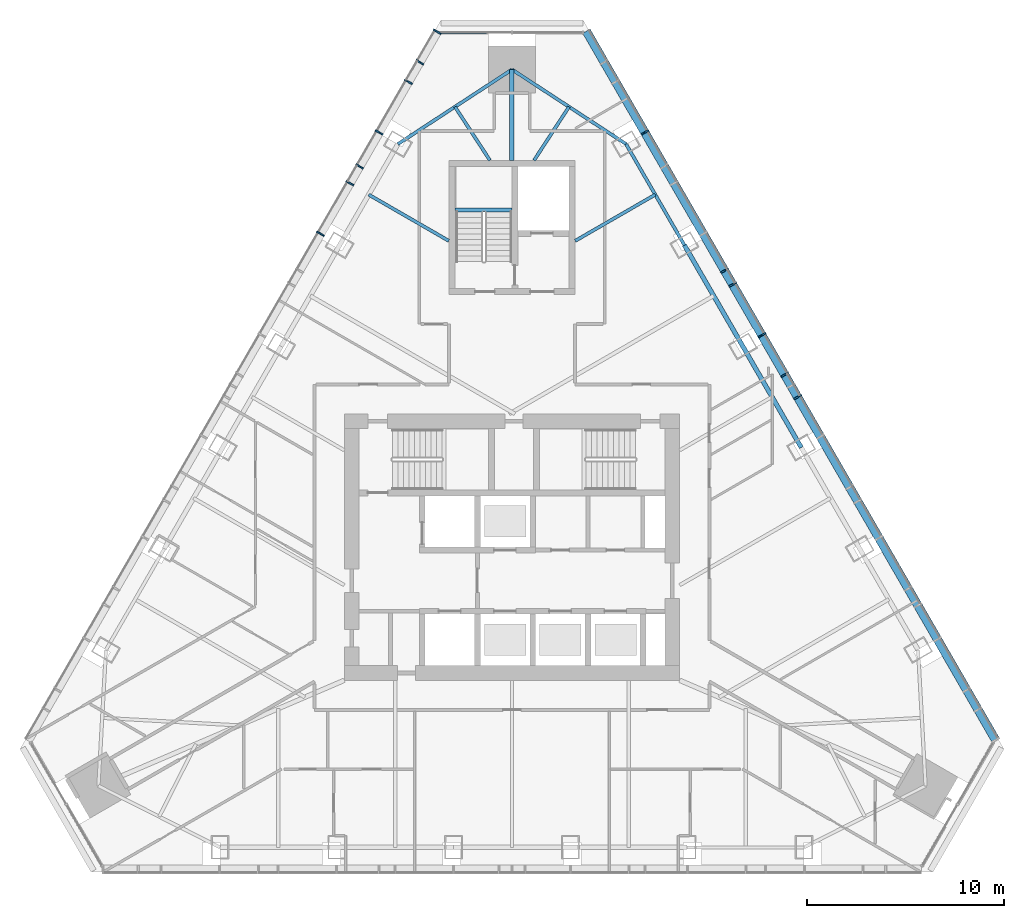
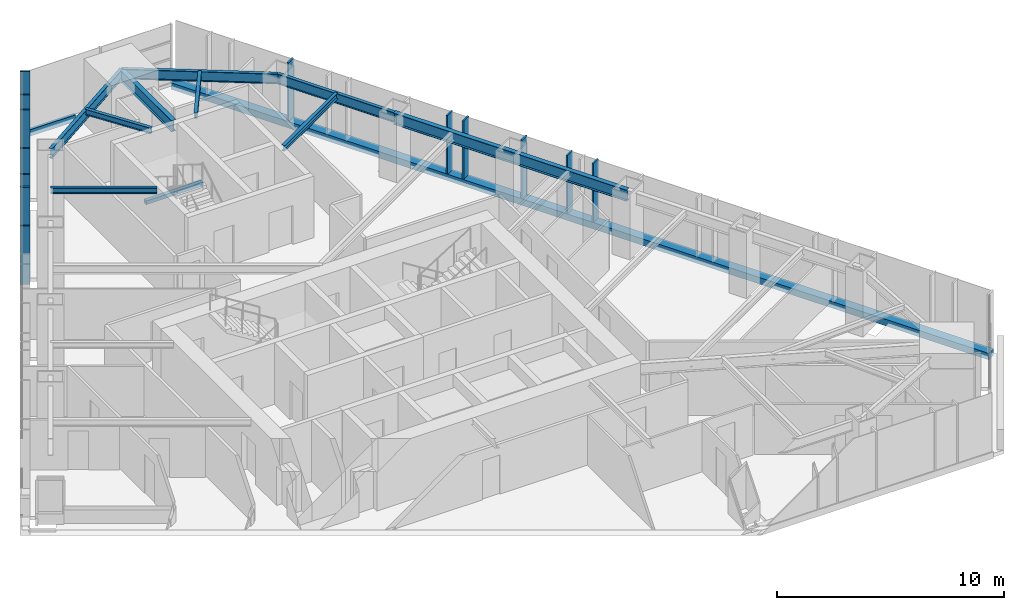
# One storey, part 5 of 15: 15 members, 10 beams, 3 elements without a shape of their own.
"""IFC4 building model written with IfcOpenShell, lengths in metres."""

from ifc_helpers import new_model, si_unit, direction, frame, origin, origin_2d, place, context, subcontext, project, spatial, rectangle, i_section, extrude, material, layer, layer_set, material_profile, profile_set, type_object, element, aggregate, save


model = new_model("IFC4")

# Units and contexts
model_context = context("Model", 3, precision=1e-05, world=origin(), true_north=direction((0.0, 1.0)))
body_context = subcontext(model_context, "Body", "Model", "MODEL_VIEW")
ifc_project = project(units=[si_unit("LENGTHUNIT", "METRE"), si_unit("AREAUNIT", "SQUARE_METRE"), si_unit("VOLUMEUNIT", "CUBIC_METRE"), si_unit("PLANEANGLEUNIT", "RADIAN"), si_unit("MASSUNIT", "GRAM", prefix="KILO")], contexts=[model_context])

# Site, building, storey
site_placement = place(None, origin())
site = spatial("IfcSite", under=ifc_project, at=site_placement, CompositionType="ELEMENT")
building_placement = place(site_placement, origin())
building = spatial("IfcBuilding", under=site, at=building_placement, Name="Firuza Gate Tower and Library", CompositionType="ELEMENT")
storey_placement = place(building_placement, frame((0.0, 0.0, 309.10009765625)))
storey = spatial("IfcBuildingStorey", under=building, at=storey_placement, Name="L75", CompositionType="ELEMENT", Elevation=309.10009765625)

# Curtain wall, members
ifc_material_1 = material(Name="Aluminium 6063-T6", Category="aluminium")
ifc_layer_1 = layer(ifc_material_1, 0.14990234375)
ifc_layer_set_1 = layer_set([ifc_layer_1], Name="Unitised curtain wall, residences")
curtain_wall_type_1 = type_object("IfcCurtainWallType", Name="Unitised curtain wall, residences", PredefinedType="NOTDEFINED", material=ifc_layer_set_1)
placement = place(storey_placement, origin())
curtain_wall_1 = element("IfcCurtainWall", 1, at=placement, inside=storey, type_object=curtain_wall_type_1, Name="CW3 L75 E face", PredefinedType="NOTDEFINED")
ifc_material_2 = material(Name="Aluminium 6063-T6", Category="aluminium")
ifc_material_profile_1 = material_profile(ifc_material_2, rectangle(XDim=0.43994140625, YDim=0.080078125, at=origin_2d()))
ifc_profile_set_1 = profile_set([ifc_material_profile_1], Name="Aluminium 6063-T6")
member_type_1 = type_object("IfcMemberType", Name="Curtain wall mullion 80x440", PredefinedType="MULLION", material=ifc_profile_set_1)
member_1_placement = place(storey_placement, frame((87.66748046875, 85.738525390625, 0.14990234375), z_axis=(0.0, 0.0, 1.0), x_axis=(-0.866025403784, -0.5, 0.0)))
member_1 = element("IfcMember", 2, at=member_1_placement, type_object=member_type_1, Name="Mullion", PredefinedType="MULLION", context=body_context, shape_type="SweptSolid", body=[
    extrude(rectangle(XDim=0.43994140625, YDim=0.080078125, at=origin_2d()), origin(), (0.0, 0.0, 1.0), 3.14990234375),
])
member_2_placement = place(storey_placement, frame((86.184326171875, 88.307373046875, 0.14990234375), z_axis=(0.0, 0.0, 1.0), x_axis=(-0.866025403784, -0.5, 0.0)))
member_2 = element("IfcMember", 3, at=member_2_placement, type_object=member_type_1, Name="Mullion", PredefinedType="MULLION", context=body_context, shape_type="SweptSolid", body=[
    extrude(rectangle(XDim=0.43994140625, YDim=0.080078125, at=origin_2d()), origin(), (0.0, 0.0, 1.0), 3.14990234375),
])
member_3_placement = place(storey_placement, frame((81.735107421875, 96.013671875, 0.14990234375), z_axis=(0.0, 0.0, 1.0), x_axis=(-0.866025403784, -0.5, 0.0)))
member_3 = element("IfcMember", 4, at=member_3_placement, type_object=member_type_1, Name="Mullion", PredefinedType="MULLION", context=body_context, shape_type="SweptSolid", body=[
    extrude(rectangle(XDim=0.43994140625, YDim=0.080078125, at=origin_2d()), origin(), (0.0, 0.0, 1.0), 3.14990234375),
])
member_4_placement = place(storey_placement, frame((89.477294921875, 82.60400390625, 0.14990234375), z_axis=(0.0, 0.0, 1.0), x_axis=(-0.866025403784, -0.5, 0.0)))
member_4 = element("IfcMember", 5, at=member_4_placement, type_object=member_type_1, Name="Mullion", PredefinedType="MULLION", context=body_context, shape_type="SweptSolid", body=[
    extrude(rectangle(XDim=0.43994140625, YDim=0.080078125, at=origin_2d()), origin(), (0.0, 0.0, 1.0), 3.14990234375),
])
member_5_placement = place(storey_placement, frame((88.82373046875, 83.735595703125, 0.14990234375), z_axis=(0.0, 0.0, 1.0), x_axis=(-0.866025403784, -0.5, 0.0)))
member_5 = element("IfcMember", 6, at=member_5_placement, type_object=member_type_1, Name="Mullion", PredefinedType="MULLION", context=body_context, shape_type="SweptSolid", body=[
    extrude(rectangle(XDim=0.43994140625, YDim=0.080078125, at=origin_2d()), origin(), (0.0, 0.0, 1.0), 3.14990234375),
])
member_6_placement = place(storey_placement, frame((85.77587890625, 89.014892578125, 0.14990234375), z_axis=(0.0, 0.0, 1.0), x_axis=(-0.866025403784, -0.5, 0.0)))
member_6 = element("IfcMember", 7, at=member_6_placement, type_object=member_type_1, Name="Mullion", PredefinedType="MULLION", context=body_context, shape_type="SweptSolid", body=[
    extrude(rectangle(XDim=0.43994140625, YDim=0.080078125, at=origin_2d()), origin(), (0.0, 0.0, 1.0), 3.14990234375),
])

curtain_wall_2 = element("IfcCurtainWall", 8, at=placement, inside=storey, type_object=curtain_wall_type_1, Name="CW3 L75 W face", PredefinedType="NOTDEFINED")
member_7_placement = place(storey_placement, frame((71.211181640625, 101.11669921875, 0.14990234375), z_axis=(0.0, 0.0, 1.0), x_axis=(0.866025403784, -0.5, 0.0)))
member_7 = element("IfcMember", 9, at=member_7_placement, type_object=member_type_1, Name="Mullion", PredefinedType="MULLION", context=body_context, shape_type="SweptSolid", body=[
    extrude(rectangle(XDim=0.43994140625, YDim=0.080078125, at=origin_2d()), origin(), (0.0, 0.0, 1.0), 3.14990234375),
])
member_8_placement = place(storey_placement, frame((69.748046875, 98.58251953125, 0.14990234375), z_axis=(0.0, 0.0, 1.0), x_axis=(0.866025403784, -0.5, 0.0)))
member_8 = element("IfcMember", 10, at=member_8_placement, type_object=member_type_1, Name="Mullion", PredefinedType="MULLION", context=body_context, shape_type="SweptSolid", body=[
    extrude(rectangle(XDim=0.43994140625, YDim=0.080078125, at=origin_2d()), origin(), (0.0, 0.0, 1.0), 3.14990234375),
])
member_9_placement = place(storey_placement, frame((68.264892578125, 96.013671875, 0.14990234375), z_axis=(0.0, 0.0, 1.0), x_axis=(0.866025403784, -0.5, 0.0)))
member_9 = element("IfcMember", 11, at=member_9_placement, type_object=member_type_1, Name="Mullion", PredefinedType="MULLION", context=body_context, shape_type="SweptSolid", body=[
    extrude(rectangle(XDim=0.43994140625, YDim=0.080078125, at=origin_2d()), origin(), (0.0, 0.0, 1.0), 3.14990234375),
])
member_10_placement = place(storey_placement, frame((66.78173828125, 93.445068359375, 0.14990234375), z_axis=(0.0, 0.0, 1.0), x_axis=(0.866025403784, -0.5, 0.0)))
member_10 = element("IfcMember", 12, at=member_10_placement, type_object=member_type_1, Name="Mullion", PredefinedType="MULLION", context=body_context, shape_type="SweptSolid", body=[
    extrude(rectangle(XDim=0.43994140625, YDim=0.080078125, at=origin_2d()), origin(), (0.0, 0.0, 1.0), 3.14990234375),
])
member_11_placement = place(storey_placement, frame((65.298828125, 90.876220703125, 0.14990234375), z_axis=(0.0, 0.0, 1.0), x_axis=(0.866025403784, -0.5, 0.0)))
member_11 = element("IfcMember", 13, at=member_11_placement, type_object=member_type_1, Name="Mullion", PredefinedType="MULLION", context=body_context, shape_type="SweptSolid", body=[
    extrude(rectangle(XDim=0.43994140625, YDim=0.080078125, at=origin_2d()), origin(), (0.0, 0.0, 1.0), 3.14990234375),
])
member_12_placement = place(storey_placement, frame((70.320068359375, 99.573486328125, 0.14990234375), z_axis=(0.0, 0.0, 1.0), x_axis=(0.866025403784, -0.5, 0.0)))
member_12 = element("IfcMember", 14, at=member_12_placement, type_object=member_type_1, Name="Mullion", PredefinedType="MULLION", context=body_context, shape_type="SweptSolid", body=[
    extrude(rectangle(XDim=0.43994140625, YDim=0.080078125, at=origin_2d()), origin(), (0.0, 0.0, 1.0), 3.14990234375),
])
member_13_placement = place(storey_placement, frame((67.272216796875, 94.294189453125, 0.14990234375), z_axis=(0.0, 0.0, 1.0), x_axis=(0.866025403784, -0.5, 0.0)))
member_13 = element("IfcMember", 15, at=member_13_placement, type_object=member_type_1, Name="Mullion", PredefinedType="MULLION", context=body_context, shape_type="SweptSolid", body=[
    extrude(rectangle(XDim=0.43994140625, YDim=0.080078125, at=origin_2d()), origin(), (0.0, 0.0, 1.0), 3.14990234375),
])
aggregate(curtain_wall_2, [member_7, member_8, member_9, member_10, member_11, member_12, member_13])

# Curtain wall, member
ifc_material_3 = material(Name="Aluminium 6063-T6", Category="aluminium")
ifc_layer_2 = layer(ifc_material_3, 0.14990234375)
ifc_layer_set_2 = layer_set([ifc_layer_2], Name="Corner curtain wall, chamfers")
curtain_wall_type_2 = type_object("IfcCurtainWallType", Name="Corner curtain wall, chamfers", PredefinedType="NOTDEFINED", material=ifc_layer_set_2)
curtain_wall_3 = element("IfcCurtainWall", 16, at=placement, inside=storey, type_object=curtain_wall_type_2, Name="CW4 L75 N corner", PredefinedType="NOTDEFINED")
ifc_material_4 = material(Name="Aluminium 6063-T6", Category="aluminium")
ifc_material_profile_2 = material_profile(ifc_material_4, rectangle(XDim=0.14990234375, YDim=0.35009765625, at=origin_2d()))
ifc_profile_set_2 = profile_set([ifc_material_profile_2], Name="Aluminium 6063-T6")
member_type_2 = type_object("IfcMemberType", Name="Curtain wall transom 350x150", PredefinedType="USERDEFINED", material=ifc_profile_set_2)
member_14_placement = place(storey_placement, frame((73.719970703125, 101.078857421875, -0.025146484375), z_axis=(-1.0, 0.0, 0.0), x_axis=(0.0, -1.0, 0.0)))
member_14 = element("IfcMember", 17, at=member_14_placement, type_object=member_type_2, Name="Transom", ObjectType="TRANSOM", PredefinedType="USERDEFINED", context=body_context, shape_type="SweptSolid", body=[
    extrude(rectangle(XDim=0.14990234375, YDim=0.35009765625, at=origin_2d()), origin(), (0.0, 0.0, 1.0), 2.36328125),
])
aggregate(curtain_wall_3, [member_14])

# Member
ifc_material_5 = material(Name="Aluminium 6063-T6", Category="aluminium")
ifc_material_profile_3 = material_profile(ifc_material_5, rectangle(XDim=0.43994140625, YDim=0.35009765625, at=origin_2d()))
ifc_profile_set_3 = profile_set([ifc_material_profile_3], Name="Aluminium 6063-T6")
member_type_3 = type_object("IfcMemberType", Name="Curtain wall transom 350x440", PredefinedType="USERDEFINED", material=ifc_profile_set_3)
member_15_placement = place(storey_placement, frame((99.5322265625, 65.188232421875, -0.025146484375), z_axis=(-0.500001845737, 0.866024338145, 0.0), x_axis=(-0.866024338145, -0.500001845737, 0.0)))
member_15 = element("IfcMember", 18, at=member_15_placement, type_object=member_type_3, Name="Transom", ObjectType="TRANSOM", PredefinedType="USERDEFINED", context=body_context, shape_type="SweptSolid", body=[
    extrude(rectangle(XDim=0.43994140625, YDim=0.35009765625, at=origin_2d()), origin(), (0.0, 0.0, 1.0), 41.526611328125),
])

aggregate(curtain_wall_1, [member_1, member_2, member_3, member_15, member_4, member_5, member_6])

# Beams
ifc_material_6 = material(Name="Concrete C35/45", Category="concrete")
ifc_material_profile_4 = material_profile(ifc_material_6, rectangle(XDim=0.199951171875, YDim=0.199951171875, at=origin_2d()))
ifc_profile_set_4 = profile_set([ifc_material_profile_4], Name="Concrete C35/45")
beam_type_1 = type_object("IfcBeamType", Name="Stair landing bearer 200x200", PredefinedType="BEAM", material=ifc_profile_set_4)
beam_1_placement = place(storey_placement, frame((75.0, 92.090087890625, 1.449951171875), z_axis=(-1.0, 0.0, 0.0), x_axis=(0.0, -1.0, 0.0)))
element("IfcBeam", 19, at=beam_1_placement, inside=storey, type_object=beam_type_1, Name="Landing bearer L75 stair 3", PredefinedType="BEAM", context=body_context, shape_type="SweptSolid", body=[
    extrude(rectangle(XDim=0.199951171875, YDim=0.199951171875, at=origin_2d()), origin(), (0.0, 0.0, 1.0), 2.89990234375),
])
ifc_material_7 = material(Name="Steel S355", Category="steel")
ifc_material_profile_5 = material_profile(ifc_material_7, i_section(OverallWidth=0.1650390625, OverallDepth=0.31005859375, WebThickness=0.005859375, FlangeThickness=0.009765625, at=origin_2d()))
ifc_profile_set_5 = profile_set([ifc_material_profile_5], Name="Steel S355")
beam_type_2 = type_object("IfcBeamType", Name="W310x39 Floor beam", PredefinedType="JOIST", material=ifc_profile_set_5)
beam_2_placement = place(storey_placement, frame((82.260498046875, 92.863525390625, 3.14501953125), z_axis=(-0.866036444415, -0.49998087658, 0.0), x_axis=(0.49998087658, -0.866036444415, 0.0)))
element("IfcBeam", 20, at=beam_2_placement, inside=storey, type_object=beam_type_2, Name="Floor beam L75 s54", PredefinedType="JOIST", context=body_context, shape_type="SweptSolid", body=[
    extrude(i_section(OverallWidth=0.1650390625, OverallDepth=0.31005859375, WebThickness=0.005859375, FlangeThickness=0.009765625, at=origin_2d()), origin(), (0.0, 0.0, 1.0), 4.688720703125),
])
for number, where, z_axis, x_axis, name in (
    (21, (77.890380859375, 97.3154296875, 3.14501953125), (-0.546981641659, -0.837144601421, 0.0), (0.837144601421, -0.546981641659, 0.0), "Floor beam L75 s60"),
    (22, (72.109619140625, 97.3154296875, 3.14501953125), (0.546981641659, -0.837144601421, 0.0), (0.837144601421, 0.546981641659, 0.0), "Floor beam L75 s70"),
):
    element("IfcBeam", number, at=place(storey_placement, frame(where, z_axis=z_axis, x_axis=x_axis)), inside=storey, type_object=beam_type_2, Name=name, PredefinedType="JOIST", context=body_context, shape_type="SweptSolid", body=[
        extrude(i_section(OverallWidth=0.1650390625, OverallDepth=0.31005859375, WebThickness=0.005859375, FlangeThickness=0.009765625, at=origin_2d()), origin(), (0.0, 0.0, 1.0), 3.24365234375),
    ])
beam_3_placement = place(storey_placement, frame((67.739501953125, 92.863525390625, 3.14501953125), z_axis=(0.866036444415, -0.49998087658, 0.0), x_axis=(0.49998087658, 0.866036444415, 0.0)))
element("IfcBeam", 23, at=beam_3_placement, inside=storey, type_object=beam_type_2, Name="Floor beam L75 s80", PredefinedType="JOIST", context=body_context, shape_type="SweptSolid", body=[
    extrude(i_section(OverallWidth=0.1650390625, OverallDepth=0.31005859375, WebThickness=0.005859375, FlangeThickness=0.009765625, at=origin_2d()), origin(), (0.0, 0.0, 1.0), 4.688720703125),
])
ifc_material_8 = material(Name="Steel S355", Category="steel")
ifc_material_profile_6 = material_profile(ifc_material_8, i_section(OverallWidth=0.166015625, OverallDepth=0.534912109375, WebThickness=0.01025390625, FlangeThickness=0.0166015625, at=origin_2d()))
ifc_profile_set_6 = profile_set([ifc_material_profile_6], Name="Steel S355")
beam_type_3 = type_object("IfcBeamType", Name="W530x85 Edge beam", PredefinedType="SPANDREL", material=ifc_profile_set_6)
beam_4_placement = place(storey_placement, frame((83.740478515625, 90.300048828125, 3.032470703125), z_axis=(-0.499988999718, 0.866031754707, 0.0), x_axis=(-0.866031754707, -0.499988999718, 0.0)))
element("IfcBeam", 24, at=beam_4_placement, inside=storey, type_object=beam_type_3, Name="Edge beam L75 e54", PredefinedType="SPANDREL", context=body_context, shape_type="SweptSolid", body=[
    extrude(i_section(OverallWidth=0.166015625, OverallDepth=0.534912109375, WebThickness=0.01025390625, FlangeThickness=0.0166015625, at=origin_2d()), origin(), (0.0, 0.0, 1.0), 5.920166015625),
])
for number, where, z_axis, x_axis, name in (
    (25, (80.780517578125, 95.427001953125, 3.032470703125), (-0.837149578366, 0.546974024467, 0.0), (-0.546974024467, -0.837149578366, 0.0), "Edge beam L75 e60"),
    (26, (75.0, 99.203857421875, 3.032470703125), (-0.837149578366, -0.546974024467, 0.0), (0.546974024467, -0.837149578366, 0.0), "Edge beam L75 e70"),
):
    element("IfcBeam", number, at=place(storey_placement, frame(where, z_axis=z_axis, x_axis=x_axis)), inside=storey, type_object=beam_type_3, Name=name, PredefinedType="SPANDREL", context=body_context, shape_type="SweptSolid", body=[
        extrude(i_section(OverallWidth=0.166015625, OverallDepth=0.534912109375, WebThickness=0.01025390625, FlangeThickness=0.0166015625, at=origin_2d()), origin(), (0.0, 0.0, 1.0), 6.905029296875),
    ])
ifc_material_9 = material(Name="Steel S355", Category="steel")
ifc_material_profile_7 = material_profile(ifc_material_9, i_section(OverallWidth=0.22802734375, OverallDepth=0.60302734375, WebThickness=0.010498046875, FlangeThickness=0.014892578125, at=origin_2d()))
ifc_profile_set_7 = profile_set([ifc_material_profile_7], Name="Steel S355")
beam_type_4 = type_object("IfcBeamType", Name="W610x101 Girder", PredefinedType="BEAM", material=ifc_profile_set_7)
beam_5_placement = place(storey_placement, frame((75.0, 99.203857421875, 2.998291015625), z_axis=(0.0, -1.0, 0.0), x_axis=(1.0, 0.0, 0.0)))
element("IfcBeam", 27, at=beam_5_placement, inside=storey, type_object=beam_type_4, Name="Girder L75 gN", PredefinedType="BEAM", context=body_context, shape_type="SweptSolid", body=[
    extrude(i_section(OverallWidth=0.22802734375, OverallDepth=0.60302734375, WebThickness=0.010498046875, FlangeThickness=0.014892578125, at=origin_2d()), origin(), (0.0, 0.0, 1.0), 4.603759765625),
])
ifc_material_10 = material(Name="Steel S355", Category="steel")
ifc_material_profile_8 = material_profile(ifc_material_10, i_section(OverallWidth=0.22900390625, OverallDepth=0.612060546875, WebThickness=0.011962890625, FlangeThickness=0.01953125, at=origin_2d()))
ifc_profile_set_8 = profile_set([ifc_material_profile_8], Name="Steel S355")
beam_type_5 = type_object("IfcBeamType", Name="W610x125 Edge beam", PredefinedType="SPANDREL", material=ifc_profile_set_8)
beam_6_placement = place(storey_placement, frame((89.66064453125, 80.04638671875, 2.993896484375), z_axis=(-0.500013393289, 0.866017671027, 0.0), x_axis=(-0.866017671027, -0.500013393289, 0.0)))
element("IfcBeam", 28, at=beam_6_placement, inside=storey, type_object=beam_type_5, Name="Edge beam L75 e52", PredefinedType="SPANDREL", context=body_context, shape_type="SweptSolid", body=[
    extrude(i_section(OverallWidth=0.22900390625, OverallDepth=0.612060546875, WebThickness=0.011962890625, FlangeThickness=0.01953125, at=origin_2d()), origin(), (0.0, 0.0, 1.0), 11.840087890625),
])

save(model, "model.ifc")
